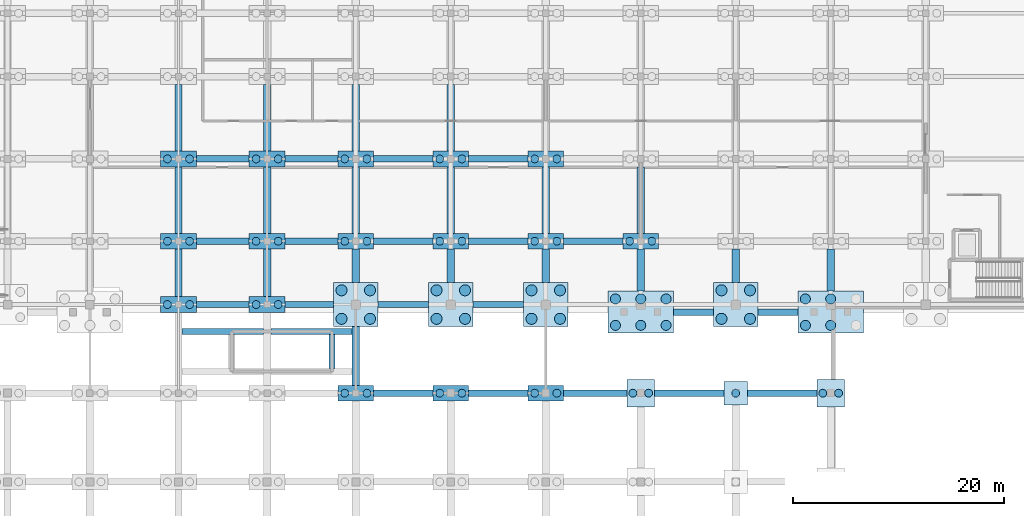
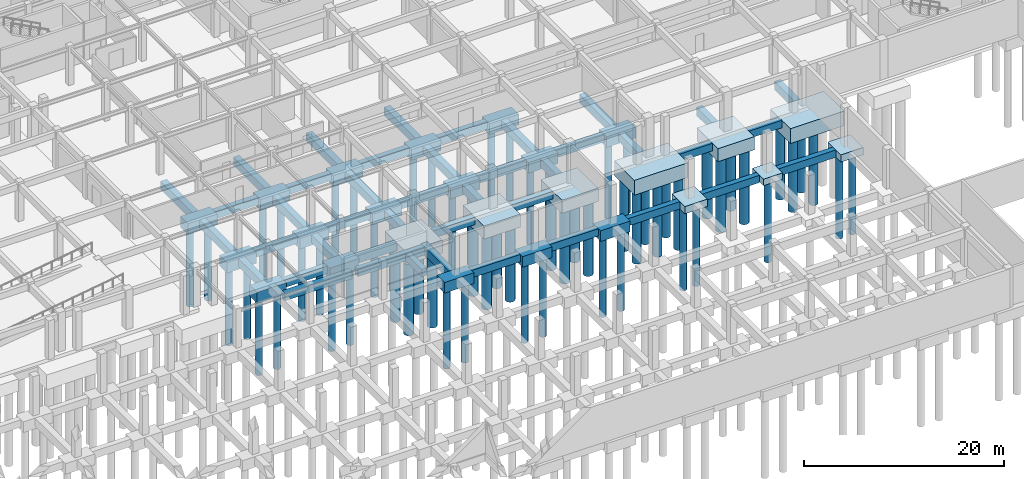
# One storey, part 4 of 26: 67 footings, 63 piles.
"""IFC4 building model written with IfcOpenShell, lengths in metres."""

from ifc_helpers import new_model, si_unit, direction, frame, origin, origin_2d, place, context, subcontext, project, spatial, rectangle, circle, extrude, material, material_profile, profile_set, type_object, element, save


model = new_model("IFC4")

# Units and contexts
model_context = context("Model", 3, precision=1e-05, world=origin(), true_north=direction((0.0, 1.0)))
body_context = subcontext(model_context, "Body", "Model", "MODEL_VIEW")
ifc_project = project(units=[si_unit("LENGTHUNIT", "METRE"), si_unit("AREAUNIT", "SQUARE_METRE"), si_unit("VOLUMEUNIT", "CUBIC_METRE"), si_unit("PLANEANGLEUNIT", "RADIAN"), si_unit("MASSUNIT", "GRAM", prefix="KILO")], contexts=[model_context])

# Site, building, storey
site_placement = place(None, origin())
site = spatial("IfcSite", under=ifc_project, at=site_placement, CompositionType="ELEMENT")
building_placement = place(site_placement, origin())
building = spatial("IfcBuilding", under=site, at=building_placement, Name="Tizgana Railside Sports Hall", CompositionType="ELEMENT")
storey_placement = place(building_placement, frame((0.0, 0.0, -4.800048828125)))
storey = spatial("IfcBuildingStorey", under=building, at=storey_placement, Name="B1", CompositionType="ELEMENT", Elevation=-4.800048828125)

# Footings
ifc_material = material(Name="Concrete C35/45", Category="concrete")
footing_type_1 = type_object("IfcFootingType", Name="Arcade Pad Footing 2600x2600x900", PredefinedType="PAD_FOOTING", material=ifc_material)
for number, where, z_axis, x_axis, name in (
    (1, (106.800048828125, 32.39990234375, -0.89990234375), (0.0, 0.0, 1.0), (1.0, 0.0, 0.0), "B1 FTG-0164"),
    (2, (124.800048828125, 32.39990234375, -0.89990234375), (0.0, 0.0, 1.0), (1.0, 0.0, 0.0), "B1 FTG-0188"),
):
    element("IfcFooting", number, at=place(storey_placement, frame(where, z_axis=z_axis, x_axis=x_axis)), inside=storey, type_object=footing_type_1, Name=name, PredefinedType="PAD_FOOTING", context=body_context, shape_type="SweptSolid", body=[
        extrude(rectangle(XDim=2.60009765625, YDim=2.60009765625, at=origin_2d()), origin(), (0.0, 0.0, 1.0), 0.89990234375),
    ])

# Piles
ifc_material_profile_1 = material_profile(ifc_material, circle(Radius=0.52490234375, at=origin_2d()), Name="PILE D1050")
ifc_profile_set_1 = profile_set([ifc_material_profile_1], Name="Concrete C35/45")
pile_type_1 = type_object("IfcPileType", Name="Bored Pile D1050", PredefinedType="BORED", material=ifc_profile_set_1)
for number, where, z_axis, x_axis, name in (
    (3, (78.449951171875, 39.449951171875, -1.919921875), (0.0, 0.0, -1.0), (1.0, 0.0, 0.0), "B1 PIL-0305"),
    (4, (81.14990234375, 39.449951171875, -1.919921875), (0.0, 0.0, -1.0), (1.0, 0.0, 0.0), "B1 PIL-0306"),
    (5, (78.449951171875, 42.14990234375, -1.919921875), (0.0, 0.0, -1.0), (1.0, 0.0, 0.0), "B1 PIL-0307"),
    (6, (81.14990234375, 42.14990234375, -1.919921875), (0.0, 0.0, -1.0), (1.0, 0.0, 0.0), "B1 PIL-0308"),
    (7, (87.449951171875, 39.449951171875, -1.919921875), (0.0, 0.0, -1.0), (1.0, 0.0, 0.0), "B1 PIL-0335"),
    (8, (90.14990234375, 39.449951171875, -1.919921875), (0.0, 0.0, -1.0), (1.0, 0.0, 0.0), "B1 PIL-0336"),
    (9, (87.449951171875, 42.14990234375, -1.919921875), (0.0, 0.0, -1.0), (1.0, 0.0, 0.0), "B1 PIL-0337"),
    (10, (90.14990234375, 42.14990234375, -1.919921875), (0.0, 0.0, -1.0), (1.0, 0.0, 0.0), "B1 PIL-0338"),
    (11, (96.449951171875, 39.449951171875, -1.919921875), (0.0, 0.0, -1.0), (1.0, 0.0, 0.0), "B1 PIL-0363"),
    (12, (99.14990234375, 39.449951171875, -1.919921875), (0.0, 0.0, -1.0), (1.0, 0.0, 0.0), "B1 PIL-0364"),
    (13, (96.449951171875, 42.14990234375, -1.919921875), (0.0, 0.0, -1.0), (1.0, 0.0, 0.0), "B1 PIL-0365"),
    (14, (99.14990234375, 42.14990234375, -1.919921875), (0.0, 0.0, -1.0), (1.0, 0.0, 0.0), "B1 PIL-0366"),
    (15, (114.449951171875, 39.449951171875, -1.919921875), (0.0, 0.0, -1.0), (1.0, 0.0, 0.0), "B1 PIL-0419"),
    (16, (117.14990234375, 39.449951171875, -1.919921875), (0.0, 0.0, -1.0), (1.0, 0.0, 0.0), "B1 PIL-0420"),
    (17, (114.449951171875, 42.14990234375, -1.919921875), (0.0, 0.0, -1.0), (1.0, 0.0, 0.0), "B1 PIL-0421"),
    (18, (117.14990234375, 42.14990234375, -1.919921875), (0.0, 0.0, -1.0), (1.0, 0.0, 0.0), "B1 PIL-0422"),
):
    element("IfcPile", number, at=place(storey_placement, frame(where, z_axis=z_axis, x_axis=x_axis)), inside=storey, type_object=pile_type_1, Name=name, PredefinedType="BORED", context=body_context, shape_type="SweptSolid", body=[
        extrude(circle(Radius=0.52490234375, at=origin_2d()), origin(), (0.0, 0.0, 1.0), 9.080078125),
    ])
ifc_material_profile_2 = material_profile(ifc_material, circle(Radius=0.375, at=origin_2d()), Name="PILE D750")
ifc_profile_set_2 = profile_set([ifc_material_profile_2], Name="Concrete C35/45")
pile_type_2 = type_object("IfcPileType", Name="Bored Pile D750", PredefinedType="BORED", material=ifc_profile_set_2)
for number, where, z_axis, x_axis, name in (
    (19, (61.949951171875, 40.800048828125, -1.619873046875), (0.0, 0.0, -1.0), (1.0, 0.0, 0.0), "B1 PIL-0253"),
    (20, (64.050048828125, 40.800048828125, -1.619873046875), (0.0, 0.0, -1.0), (1.0, 0.0, 0.0), "B1 PIL-0254"),
    (21, (61.949951171875, 46.800048828125, -1.619873046875), (0.0, 0.0, -1.0), (1.0, 0.0, 0.0), "B1 PIL-0255"),
    (22, (64.050048828125, 46.800048828125, -1.619873046875), (0.0, 0.0, -1.0), (1.0, 0.0, 0.0), "B1 PIL-0256"),
    (23, (61.949951171875, 54.60009765625, -1.619873046875), (0.0, 0.0, -1.0), (1.0, 0.0, 0.0), "B1 PIL-0257"),
    (24, (64.050048828125, 54.60009765625, -1.619873046875), (0.0, 0.0, -1.0), (1.0, 0.0, 0.0), "B1 PIL-0258"),
    (25, (70.35009765625, 40.800048828125, -1.619873046875), (0.0, 0.0, -1.0), (1.0, 0.0, 0.0), "B1 PIL-0279"),
    (26, (72.449951171875, 40.800048828125, -1.619873046875), (0.0, 0.0, -1.0), (1.0, 0.0, 0.0), "B1 PIL-0280"),
    (27, (70.35009765625, 46.800048828125, -1.619873046875), (0.0, 0.0, -1.0), (1.0, 0.0, 0.0), "B1 PIL-0281"),
    (28, (72.449951171875, 46.800048828125, -1.619873046875), (0.0, 0.0, -1.0), (1.0, 0.0, 0.0), "B1 PIL-0282"),
    (29, (70.35009765625, 54.60009765625, -1.619873046875), (0.0, 0.0, -1.0), (1.0, 0.0, 0.0), "B1 PIL-0283"),
    (30, (72.449951171875, 54.60009765625, -1.619873046875), (0.0, 0.0, -1.0), (1.0, 0.0, 0.0), "B1 PIL-0284"),
):
    element("IfcPile", number, at=place(storey_placement, frame(where, z_axis=z_axis, x_axis=x_axis)), inside=storey, type_object=pile_type_2, Name=name, PredefinedType="BORED", context=body_context, shape_type="SweptSolid", body=[
        extrude(circle(Radius=0.375, at=origin_2d()), origin(), (0.0, 0.0, 1.0), 9.3798828125),
    ])
for number, where, z_axis, x_axis, name in (
    (31, (78.75, 32.39990234375, -1.199951171875), (0.0, 0.0, -1.0), (1.0, 0.0, 0.0), "B1 PIL-0303"),
    (32, (80.85009765625, 32.39990234375, -1.199951171875), (0.0, 0.0, -1.0), (1.0, 0.0, 0.0), "B1 PIL-0304"),
):
    element("IfcPile", number, at=place(storey_placement, frame(where, z_axis=z_axis, x_axis=x_axis)), inside=storey, type_object=pile_type_2, Name=name, PredefinedType="BORED", context=body_context, shape_type="SweptSolid", body=[
        extrude(circle(Radius=0.375, at=origin_2d()), origin(), (0.0, 0.0, 1.0), 9.800048828125),
    ])
for number, where, z_axis, x_axis, name in (
    (33, (78.75, 46.800048828125, -1.619873046875), (0.0, 0.0, -1.0), (1.0, 0.0, 0.0), "B1 PIL-0309"),
    (34, (80.85009765625, 46.800048828125, -1.619873046875), (0.0, 0.0, -1.0), (1.0, 0.0, 0.0), "B1 PIL-0310"),
    (35, (78.75, 54.60009765625, -1.619873046875), (0.0, 0.0, -1.0), (1.0, 0.0, 0.0), "B1 PIL-0311"),
    (36, (80.85009765625, 54.60009765625, -1.619873046875), (0.0, 0.0, -1.0), (1.0, 0.0, 0.0), "B1 PIL-0312"),
):
    element("IfcPile", number, at=place(storey_placement, frame(where, z_axis=z_axis, x_axis=x_axis)), inside=storey, type_object=pile_type_2, Name=name, PredefinedType="BORED", context=body_context, shape_type="SweptSolid", body=[
        extrude(circle(Radius=0.375, at=origin_2d()), origin(), (0.0, 0.0, 1.0), 9.3798828125),
    ])
for number, where, z_axis, x_axis, name in (
    (37, (87.75, 32.39990234375, -1.199951171875), (0.0, 0.0, -1.0), (1.0, 0.0, 0.0), "B1 PIL-0333"),
    (38, (89.85009765625, 32.39990234375, -1.199951171875), (0.0, 0.0, -1.0), (1.0, 0.0, 0.0), "B1 PIL-0334"),
):
    element("IfcPile", number, at=place(storey_placement, frame(where, z_axis=z_axis, x_axis=x_axis)), inside=storey, type_object=pile_type_2, Name=name, PredefinedType="BORED", context=body_context, shape_type="SweptSolid", body=[
        extrude(circle(Radius=0.375, at=origin_2d()), origin(), (0.0, 0.0, 1.0), 9.800048828125),
    ])
for number, where, z_axis, x_axis, name in (
    (39, (87.75, 46.800048828125, -1.619873046875), (0.0, 0.0, -1.0), (1.0, 0.0, 0.0), "B1 PIL-0339"),
    (40, (89.85009765625, 46.800048828125, -1.619873046875), (0.0, 0.0, -1.0), (1.0, 0.0, 0.0), "B1 PIL-0340"),
    (41, (87.75, 54.60009765625, -1.619873046875), (0.0, 0.0, -1.0), (1.0, 0.0, 0.0), "B1 PIL-0341"),
    (42, (89.85009765625, 54.60009765625, -1.619873046875), (0.0, 0.0, -1.0), (1.0, 0.0, 0.0), "B1 PIL-0342"),
):
    element("IfcPile", number, at=place(storey_placement, frame(where, z_axis=z_axis, x_axis=x_axis)), inside=storey, type_object=pile_type_2, Name=name, PredefinedType="BORED", context=body_context, shape_type="SweptSolid", body=[
        extrude(circle(Radius=0.375, at=origin_2d()), origin(), (0.0, 0.0, 1.0), 9.3798828125),
    ])
for number, where, z_axis, x_axis, name in (
    (43, (96.75, 32.39990234375, -1.199951171875), (0.0, 0.0, -1.0), (1.0, 0.0, 0.0), "B1 PIL-0361"),
    (44, (98.85009765625, 32.39990234375, -1.199951171875), (0.0, 0.0, -1.0), (1.0, 0.0, 0.0), "B1 PIL-0362"),
):
    element("IfcPile", number, at=place(storey_placement, frame(where, z_axis=z_axis, x_axis=x_axis)), inside=storey, type_object=pile_type_2, Name=name, PredefinedType="BORED", context=body_context, shape_type="SweptSolid", body=[
        extrude(circle(Radius=0.375, at=origin_2d()), origin(), (0.0, 0.0, 1.0), 9.800048828125),
    ])
for number, where, z_axis, x_axis, name in (
    (45, (96.75, 46.800048828125, -1.619873046875), (0.0, 0.0, -1.0), (1.0, 0.0, 0.0), "B1 PIL-0367"),
    (46, (98.85009765625, 46.800048828125, -1.619873046875), (0.0, 0.0, -1.0), (1.0, 0.0, 0.0), "B1 PIL-0368"),
    (47, (96.75, 54.60009765625, -1.619873046875), (0.0, 0.0, -1.0), (1.0, 0.0, 0.0), "B1 PIL-0369"),
    (48, (98.85009765625, 54.60009765625, -1.619873046875), (0.0, 0.0, -1.0), (1.0, 0.0, 0.0), "B1 PIL-0370"),
):
    element("IfcPile", number, at=place(storey_placement, frame(where, z_axis=z_axis, x_axis=x_axis)), inside=storey, type_object=pile_type_2, Name=name, PredefinedType="BORED", context=body_context, shape_type="SweptSolid", body=[
        extrude(circle(Radius=0.375, at=origin_2d()), origin(), (0.0, 0.0, 1.0), 9.3798828125),
    ])
for number, where, z_axis, x_axis, name in (
    (49, (106.050048828125, 32.39990234375, -0.800048828125), (0.0, 0.0, -1.0), (1.0, 0.0, 0.0), "B1 PIL-0395"),
    (50, (107.550048828125, 32.39990234375, -0.800048828125), (0.0, 0.0, -1.0), (1.0, 0.0, 0.0), "B1 PIL-0396"),
):
    element("IfcPile", number, at=place(storey_placement, frame(where, z_axis=z_axis, x_axis=x_axis)), inside=storey, type_object=pile_type_2, Name=name, PredefinedType="BORED", context=body_context, shape_type="SweptSolid", body=[
        extrude(circle(Radius=0.375, at=origin_2d()), origin(), (0.0, 0.0, 1.0), 10.199951171875),
    ])
for number, where, z_axis, x_axis, name in (
    (51, (105.75, 46.800048828125, -1.619873046875), (0.0, 0.0, -1.0), (1.0, 0.0, 0.0), "B1 PIL-0397"),
    (52, (107.85009765625, 46.800048828125, -1.619873046875), (0.0, 0.0, -1.0), (1.0, 0.0, 0.0), "B1 PIL-0398"),
):
    element("IfcPile", number, at=place(storey_placement, frame(where, z_axis=z_axis, x_axis=x_axis)), inside=storey, type_object=pile_type_2, Name=name, PredefinedType="BORED", context=body_context, shape_type="SweptSolid", body=[
        extrude(circle(Radius=0.375, at=origin_2d()), origin(), (0.0, 0.0, 1.0), 9.3798828125),
    ])
pile_placement = place(storey_placement, frame((115.800048828125, 32.39990234375, -0.699951171875), z_axis=(0.0, 0.0, -1.0), x_axis=(1.0, 0.0, 0.0)))
element("IfcPile", 53, at=pile_placement, inside=storey, type_object=pile_type_2, Name="B1 PIL-0418", PredefinedType="BORED", context=body_context, shape_type="SweptSolid", body=[
    extrude(circle(Radius=0.375, at=origin_2d()), origin(), (0.0, 0.0, 1.0), 10.300048828125),
])
for number, where, z_axis, x_axis, name in (
    (54, (124.050048828125, 32.39990234375, -0.800048828125), (0.0, 0.0, -1.0), (1.0, 0.0, 0.0), "B1 PIL-0451"),
    (55, (125.550048828125, 32.39990234375, -0.800048828125), (0.0, 0.0, -1.0), (1.0, 0.0, 0.0), "B1 PIL-0452"),
):
    element("IfcPile", number, at=place(storey_placement, frame(where, z_axis=z_axis, x_axis=x_axis)), inside=storey, type_object=pile_type_2, Name=name, PredefinedType="BORED", context=body_context, shape_type="SweptSolid", body=[
        extrude(circle(Radius=0.375, at=origin_2d()), origin(), (0.0, 0.0, 1.0), 10.199951171875),
    ])
ifc_material_profile_3 = material_profile(ifc_material, circle(Radius=0.47509765625, at=origin_2d()), Name="PILE D950")
ifc_profile_set_3 = profile_set([ifc_material_profile_3], Name="Concrete C35/45")
pile_type_3 = type_object("IfcPileType", Name="Bored Pile D950", PredefinedType="BORED", material=ifc_profile_set_3)
for number, where, z_axis, x_axis, name in (
    (56, (104.39990234375, 38.830078125, -2.119873046875), (0.0, 0.0, -1.0), (1.0, 0.0, 0.0), "B1 PIL-0381"),
    (57, (104.39990234375, 41.330078125, -2.119873046875), (0.0, 0.0, -1.0), (1.0, 0.0, 0.0), "B1 PIL-0382"),
    (58, (106.800048828125, 38.830078125, -2.119873046875), (0.0, 0.0, -1.0), (1.0, 0.0, 0.0), "B1 PIL-0383"),
    (59, (106.800048828125, 41.330078125, -2.119873046875), (0.0, 0.0, -1.0), (1.0, 0.0, 0.0), "B1 PIL-0384"),
    (60, (109.199951171875, 38.830078125, -2.119873046875), (0.0, 0.0, -1.0), (1.0, 0.0, 0.0), "B1 PIL-0385"),
    (61, (109.199951171875, 41.330078125, -2.119873046875), (0.0, 0.0, -1.0), (1.0, 0.0, 0.0), "B1 PIL-0386"),
    (62, (122.39990234375, 38.830078125, -2.119873046875), (0.0, 0.0, -1.0), (1.0, 0.0, 0.0), "B1 PIL-0437"),
    (63, (122.39990234375, 41.330078125, -2.119873046875), (0.0, 0.0, -1.0), (1.0, 0.0, 0.0), "B1 PIL-0438"),
    (64, (124.800048828125, 38.830078125, -2.119873046875), (0.0, 0.0, -1.0), (1.0, 0.0, 0.0), "B1 PIL-0439"),
    (65, (124.800048828125, 41.330078125, -2.119873046875), (0.0, 0.0, -1.0), (1.0, 0.0, 0.0), "B1 PIL-0440"),
):
    element("IfcPile", number, at=place(storey_placement, frame(where, z_axis=z_axis, x_axis=x_axis)), inside=storey, type_object=pile_type_3, Name=name, PredefinedType="BORED", context=body_context, shape_type="SweptSolid", body=[
        extrude(circle(Radius=0.47509765625, at=origin_2d()), origin(), (0.0, 0.0, 1.0), 8.8798828125),
    ])

# Footings
footing_type_2 = type_object("IfcFootingType", Name="Canopy Pad Footing 2200x2200x800", PredefinedType="PAD_FOOTING", material=ifc_material)
footing_1_placement = place(storey_placement, frame((115.800048828125, 32.39990234375, -0.7998046875), z_axis=(0.0, 0.0, 1.0), x_axis=(1.0, 0.0, 0.0)))
element("IfcFooting", 66, at=footing_1_placement, inside=storey, type_object=footing_type_2, Name="B1 FTG-0175", PredefinedType="PAD_FOOTING", context=body_context, shape_type="SweptSolid", body=[
    extrude(rectangle(XDim=2.199951171875, YDim=2.199951171875, at=origin_2d()), origin(), (0.0, 0.0, 1.0), 0.800048828125),
])
footing_type_3 = type_object("IfcFootingType", Name="Ground Tie Beam 600x900", PredefinedType="FOOTING_BEAM", material=ifc_material)
for number, where, z_axis, x_axis, name in (
    (67, (84.300048828125, 32.39990234375, -0.89990234375), (0.0, 0.0, 1.0), (1.0, 0.0, 0.0), "B1 FTG-0300"),
    (68, (93.300048828125, 32.39990234375, -0.89990234375), (0.0, 0.0, 1.0), (1.0, 0.0, 0.0), "B1 FTG-0301"),
):
    element("IfcFooting", number, at=place(storey_placement, frame(where, z_axis=z_axis, x_axis=x_axis)), inside=storey, type_object=footing_type_3, Name=name, PredefinedType="FOOTING_BEAM", context=body_context, shape_type="SweptSolid", body=[
        extrude(rectangle(XDim=5.60400390625, YDim=0.60009765625, at=origin_2d()), origin(), (0.0, 0.0, 1.0), 0.89990234375),
    ])
footing_2_placement = place(storey_placement, frame((102.5, 32.39990234375, -0.89990234375), z_axis=(0.0, 0.0, 1.0), x_axis=(1.0, 0.0, 0.0)))
element("IfcFooting", 69, at=footing_2_placement, inside=storey, type_object=footing_type_3, Name="B1 FTG-0302", PredefinedType="FOOTING_BEAM", context=body_context, shape_type="SweptSolid", body=[
    extrude(rectangle(XDim=6.00390625, YDim=0.60009765625, at=origin_2d()), origin(), (0.0, 0.0, 1.0), 0.89990234375),
])
for number, where, z_axis, x_axis, name in (
    (70, (111.39990234375, 32.39990234375, -0.89990234375), (0.0, 0.0, 1.0), (1.0, 0.0, 0.0), "B1 FTG-0303"),
    (71, (120.199951171875, 32.39990234375, -0.89990234375), (0.0, 0.0, 1.0), (1.0, 0.0, 0.0), "B1 FTG-0304"),
):
    element("IfcFooting", number, at=place(storey_placement, frame(where, z_axis=z_axis, x_axis=x_axis)), inside=storey, type_object=footing_type_3, Name=name, PredefinedType="FOOTING_BEAM", context=body_context, shape_type="SweptSolid", body=[
        extrude(rectangle(XDim=6.60400390625, YDim=0.60009765625, at=origin_2d()), origin(), (0.0, 0.0, 1.0), 0.89990234375),
    ])
for number, where, z_axis, x_axis, name in (
    (72, (111.800048828125, 40.080078125, -1.31982421875), (0.0, 0.0, 1.0), (1.0, 0.0, 0.0), "B1 FTG-0311"),
    (73, (119.800048828125, 40.080078125, -1.31982421875), (0.0, 0.0, 1.0), (1.0, 0.0, 0.0), "B1 FTG-0312"),
):
    element("IfcFooting", number, at=place(storey_placement, frame(where, z_axis=z_axis, x_axis=x_axis)), inside=storey, type_object=footing_type_3, Name=name, PredefinedType="FOOTING_BEAM", context=body_context, shape_type="SweptSolid", body=[
        extrude(rectangle(XDim=3.803955078125, YDim=0.60009765625, at=origin_2d()), origin(), (0.0, 0.0, 1.0), 0.89990234375),
    ])
footing_3_placement = place(storey_placement, frame((67.199951171875, 40.800048828125, -1.31982421875), z_axis=(0.0, 0.0, 1.0), x_axis=(1.0, 0.0, 0.0)))
element("IfcFooting", 74, at=footing_3_placement, inside=storey, type_object=footing_type_3, Name="B1 FTG-0317", PredefinedType="FOOTING_BEAM", context=body_context, shape_type="SweptSolid", body=[
    extrude(rectangle(XDim=5.00390625, YDim=0.60009765625, at=origin_2d()), origin(), (0.0, 0.0, 1.0), 0.89990234375),
])
footing_4_placement = place(storey_placement, frame((75.39990234375, 40.800048828125, -1.31982421875), z_axis=(0.0, 0.0, 1.0), x_axis=(1.0, 0.0, 0.0)))
element("IfcFooting", 75, at=footing_4_placement, inside=storey, type_object=footing_type_3, Name="B1 FTG-0318", PredefinedType="FOOTING_BEAM", context=body_context, shape_type="SweptSolid", body=[
    extrude(rectangle(XDim=4.60400390625, YDim=0.60009765625, at=origin_2d()), origin(), (0.0, 0.0, 1.0), 0.89990234375),
])
for number, where, z_axis, x_axis, name in (
    (76, (84.300048828125, 40.800048828125, -1.31982421875), (0.0, 0.0, 1.0), (1.0, 0.0, 0.0), "B1 FTG-0319"),
    (77, (93.300048828125, 40.800048828125, -1.31982421875), (0.0, 0.0, 1.0), (1.0, 0.0, 0.0), "B1 FTG-0320"),
):
    element("IfcFooting", number, at=place(storey_placement, frame(where, z_axis=z_axis, x_axis=x_axis)), inside=storey, type_object=footing_type_3, Name=name, PredefinedType="FOOTING_BEAM", context=body_context, shape_type="SweptSolid", body=[
        extrude(rectangle(XDim=4.803955078125, YDim=0.60009765625, at=origin_2d()), origin(), (0.0, 0.0, 1.0), 0.89990234375),
    ])
for number, where, z_axis, x_axis, name in (
    (78, (67.199951171875, 46.800048828125, -1.31982421875), (0.0, 0.0, 1.0), (1.0, 0.0, 0.0), "B1 FTG-0328"),
    (79, (75.60009765625, 46.800048828125, -1.31982421875), (0.0, 0.0, 1.0), (1.0, 0.0, 0.0), "B1 FTG-0329"),
):
    element("IfcFooting", number, at=place(storey_placement, frame(where, z_axis=z_axis, x_axis=x_axis)), inside=storey, type_object=footing_type_3, Name=name, PredefinedType="FOOTING_BEAM", context=body_context, shape_type="SweptSolid", body=[
        extrude(rectangle(XDim=5.00390625, YDim=0.60009765625, at=origin_2d()), origin(), (0.0, 0.0, 1.0), 0.89990234375),
    ])
for number, where, z_axis, x_axis, name in (
    (80, (84.300048828125, 46.800048828125, -1.31982421875), (0.0, 0.0, 1.0), (1.0, 0.0, 0.0), "B1 FTG-0330"),
    (81, (93.300048828125, 46.800048828125, -1.31982421875), (0.0, 0.0, 1.0), (1.0, 0.0, 0.0), "B1 FTG-0331"),
    (82, (102.300048828125, 46.800048828125, -1.31982421875), (0.0, 0.0, 1.0), (1.0, 0.0, 0.0), "B1 FTG-0332"),
):
    element("IfcFooting", number, at=place(storey_placement, frame(where, z_axis=z_axis, x_axis=x_axis)), inside=storey, type_object=footing_type_3, Name=name, PredefinedType="FOOTING_BEAM", context=body_context, shape_type="SweptSolid", body=[
        extrude(rectangle(XDim=5.60400390625, YDim=0.60009765625, at=origin_2d()), origin(), (0.0, 0.0, 1.0), 0.89990234375),
    ])
for number, where, z_axis, x_axis, name in (
    (83, (67.199951171875, 54.60009765625, -1.31982421875), (0.0, 0.0, 1.0), (1.0, 0.0, 0.0), "B1 FTG-0343"),
    (84, (75.60009765625, 54.60009765625, -1.31982421875), (0.0, 0.0, 1.0), (1.0, 0.0, 0.0), "B1 FTG-0344"),
):
    element("IfcFooting", number, at=place(storey_placement, frame(where, z_axis=z_axis, x_axis=x_axis)), inside=storey, type_object=footing_type_3, Name=name, PredefinedType="FOOTING_BEAM", context=body_context, shape_type="SweptSolid", body=[
        extrude(rectangle(XDim=5.00390625, YDim=0.60009765625, at=origin_2d()), origin(), (0.0, 0.0, 1.0), 0.89990234375),
    ])
for number, where, z_axis, x_axis, name in (
    (85, (84.300048828125, 54.60009765625, -1.31982421875), (0.0, 0.0, 1.0), (1.0, 0.0, 0.0), "B1 FTG-0345"),
    (86, (93.300048828125, 54.60009765625, -1.31982421875), (0.0, 0.0, 1.0), (1.0, 0.0, 0.0), "B1 FTG-0346"),
):
    element("IfcFooting", number, at=place(storey_placement, frame(where, z_axis=z_axis, x_axis=x_axis)), inside=storey, type_object=footing_type_3, Name=name, PredefinedType="FOOTING_BEAM", context=body_context, shape_type="SweptSolid", body=[
        extrude(rectangle(XDim=5.60400390625, YDim=0.60009765625, at=origin_2d()), origin(), (0.0, 0.0, 1.0), 0.89990234375),
    ])
for number, where, z_axis, x_axis, name in (
    (87, (67.199951171875, 38.25, -0.89990234375), (0.0, 0.0, 1.0), (1.0, 0.0, 0.0), "B1 FTG-0639"),
    (88, (75.60009765625, 38.25, -0.89990234375), (0.0, 0.0, 1.0), (1.0, 0.0, 0.0), "B1 FTG-0640"),
):
    element("IfcFooting", number, at=place(storey_placement, frame(where, z_axis=z_axis, x_axis=x_axis)), inside=storey, type_object=footing_type_3, Name=name, PredefinedType="FOOTING_BEAM", context=body_context, shape_type="SweptSolid", body=[
        extrude(rectangle(XDim=7.7041015625, YDim=0.60009765625, at=origin_2d()), origin(), (0.0, 0.0, 1.0), 0.89990234375),
    ])
footing_5_placement = place(storey_placement, frame((77.550048828125, 36.35009765625, -0.89990234375), z_axis=(0.0, 0.0, 1.0), x_axis=(0.0, 1.0, 0.0)))
element("IfcFooting", 89, at=footing_5_placement, inside=storey, type_object=footing_type_3, Name="B1 FTG-0652", PredefinedType="FOOTING_BEAM", context=body_context, shape_type="SweptSolid", body=[
    extrude(rectangle(XDim=3.2041015625, YDim=0.60009765625, at=origin_2d()), origin(), (0.0, 0.0, 1.0), 0.89990234375),
])
footing_type_4 = type_object("IfcFootingType", Name="Heavy Four-Pile Cap 4200x4200x1600", PredefinedType="PILE_CAP", material=ifc_material)
for number, where, z_axis, x_axis, name in (
    (90, (79.800048828125, 40.800048828125, -2.02001953125), (0.0, 0.0, 1.0), (1.0, 0.0, 0.0), "B1 FTG-0127"),
    (91, (88.800048828125, 40.800048828125, -2.02001953125), (0.0, 0.0, 1.0), (1.0, 0.0, 0.0), "B1 FTG-0140"),
    (92, (97.800048828125, 40.800048828125, -2.02001953125), (0.0, 0.0, 1.0), (1.0, 0.0, 0.0), "B1 FTG-0152"),
    (93, (115.800048828125, 40.800048828125, -2.02001953125), (0.0, 0.0, 1.0), (1.0, 0.0, 0.0), "B1 FTG-0176"),
):
    element("IfcFooting", number, at=place(storey_placement, frame(where, z_axis=z_axis, x_axis=x_axis)), inside=storey, type_object=footing_type_4, Name=name, PredefinedType="PILE_CAP", context=body_context, shape_type="SweptSolid", body=[
        extrude(rectangle(XDim=4.199951171875, YDim=4.199951171875, at=origin_2d()), origin(), (0.0, 0.0, 1.0), 1.60009765625),
    ])
footing_type_5 = type_object("IfcFootingType", Name="Perimeter Ground Beam 700x1000", PredefinedType="FOOTING_BEAM", material=ifc_material)
footing_6_placement = place(storey_placement, frame((63.0, 43.800048828125, -1.419921875), z_axis=(0.0, 0.0, 1.0), x_axis=(0.0, 1.0, 0.0)))
element("IfcFooting", 94, at=footing_6_placement, inside=storey, type_object=footing_type_5, Name="B1 FTG-0523", PredefinedType="FOOTING_BEAM", context=body_context, shape_type="SweptSolid", body=[
    extrude(rectangle(XDim=4.50390625, YDim=0.699951171875, at=origin_2d()), origin(), (0.0, 0.0, 1.0), 1.0),
])
for number, where, z_axis, x_axis, name in (
    (95, (63.0, 50.699951171875, -1.419921875), (0.0, 0.0, 1.0), (0.0, 1.0, 0.0), "B1 FTG-0524"),
    (96, (63.0, 58.5, -1.419921875), (0.0, 0.0, 1.0), (0.0, 1.0, 0.0), "B1 FTG-0525"),
):
    element("IfcFooting", number, at=place(storey_placement, frame(where, z_axis=z_axis, x_axis=x_axis)), inside=storey, type_object=footing_type_5, Name=name, PredefinedType="FOOTING_BEAM", context=body_context, shape_type="SweptSolid", body=[
        extrude(rectangle(XDim=6.303955078125, YDim=0.699951171875, at=origin_2d()), origin(), (0.0, 0.0, 1.0), 1.0),
    ])
footing_7_placement = place(storey_placement, frame((71.39990234375, 43.800048828125, -1.419921875), z_axis=(0.0, 0.0, 1.0), x_axis=(0.0, 1.0, 0.0)))
element("IfcFooting", 97, at=footing_7_placement, inside=storey, type_object=footing_type_5, Name="B1 FTG-0534", PredefinedType="FOOTING_BEAM", context=body_context, shape_type="SweptSolid", body=[
    extrude(rectangle(XDim=4.50390625, YDim=0.699951171875, at=origin_2d()), origin(), (0.0, 0.0, 1.0), 1.0),
])
for number, where, z_axis, x_axis, name in (
    (98, (71.39990234375, 50.699951171875, -1.419921875), (0.0, 0.0, 1.0), (0.0, 1.0, 0.0), "B1 FTG-0535"),
    (99, (71.39990234375, 58.5, -1.419921875), (0.0, 0.0, 1.0), (0.0, 1.0, 0.0), "B1 FTG-0536"),
):
    element("IfcFooting", number, at=place(storey_placement, frame(where, z_axis=z_axis, x_axis=x_axis)), inside=storey, type_object=footing_type_5, Name=name, PredefinedType="FOOTING_BEAM", context=body_context, shape_type="SweptSolid", body=[
        extrude(rectangle(XDim=6.303955078125, YDim=0.699951171875, at=origin_2d()), origin(), (0.0, 0.0, 1.0), 1.0),
    ])
footing_8_placement = place(storey_placement, frame((79.800048828125, 35.925048828125, -1.0), z_axis=(0.0, 0.0, 1.0), x_axis=(0.0, 1.0, 0.0)))
element("IfcFooting", 100, at=footing_8_placement, inside=storey, type_object=footing_type_5, Name="B1 FTG-0544", PredefinedType="FOOTING_BEAM", context=body_context, shape_type="SweptSolid", body=[
    extrude(rectangle(XDim=5.553955078125, YDim=0.699951171875, at=origin_2d()), origin(), (0.0, 0.0, 1.0), 1.0),
])
footing_9_placement = place(storey_placement, frame((79.800048828125, 44.47509765625, -1.419921875), z_axis=(0.0, 0.0, 1.0), x_axis=(0.0, 1.0, 0.0)))
element("IfcFooting", 101, at=footing_9_placement, inside=storey, type_object=footing_type_5, Name="B1 FTG-0545", PredefinedType="FOOTING_BEAM", context=body_context, shape_type="SweptSolid", body=[
    extrude(rectangle(XDim=3.154052734375, YDim=0.699951171875, at=origin_2d()), origin(), (0.0, 0.0, 1.0), 1.0),
])
for number, where, z_axis, x_axis, name in (
    (102, (79.800048828125, 50.699951171875, -1.419921875), (0.0, 0.0, 1.0), (0.0, 1.0, 0.0), "B1 FTG-0546"),
    (103, (79.800048828125, 58.5, -1.419921875), (0.0, 0.0, 1.0), (0.0, 1.0, 0.0), "B1 FTG-0547"),
):
    element("IfcFooting", number, at=place(storey_placement, frame(where, z_axis=z_axis, x_axis=x_axis)), inside=storey, type_object=footing_type_5, Name=name, PredefinedType="FOOTING_BEAM", context=body_context, shape_type="SweptSolid", body=[
        extrude(rectangle(XDim=6.303955078125, YDim=0.699951171875, at=origin_2d()), origin(), (0.0, 0.0, 1.0), 1.0),
    ])
footing_10_placement = place(storey_placement, frame((88.800048828125, 44.47509765625, -1.419921875), z_axis=(0.0, 0.0, 1.0), x_axis=(0.0, 1.0, 0.0)))
element("IfcFooting", 104, at=footing_10_placement, inside=storey, type_object=footing_type_5, Name="B1 FTG-0556", PredefinedType="FOOTING_BEAM", context=body_context, shape_type="SweptSolid", body=[
    extrude(rectangle(XDim=3.154052734375, YDim=0.699951171875, at=origin_2d()), origin(), (0.0, 0.0, 1.0), 1.0),
])
for number, where, z_axis, x_axis, name in (
    (105, (88.800048828125, 50.699951171875, -1.419921875), (0.0, 0.0, 1.0), (0.0, 1.0, 0.0), "B1 FTG-0557"),
    (106, (88.800048828125, 58.5, -1.419921875), (0.0, 0.0, 1.0), (0.0, 1.0, 0.0), "B1 FTG-0558"),
):
    element("IfcFooting", number, at=place(storey_placement, frame(where, z_axis=z_axis, x_axis=x_axis)), inside=storey, type_object=footing_type_5, Name=name, PredefinedType="FOOTING_BEAM", context=body_context, shape_type="SweptSolid", body=[
        extrude(rectangle(XDim=6.303955078125, YDim=0.699951171875, at=origin_2d()), origin(), (0.0, 0.0, 1.0), 1.0),
    ])
footing_11_placement = place(storey_placement, frame((97.800048828125, 44.47509765625, -1.419921875), z_axis=(0.0, 0.0, 1.0), x_axis=(0.0, 1.0, 0.0)))
element("IfcFooting", 107, at=footing_11_placement, inside=storey, type_object=footing_type_5, Name="B1 FTG-0566", PredefinedType="FOOTING_BEAM", context=body_context, shape_type="SweptSolid", body=[
    extrude(rectangle(XDim=3.154052734375, YDim=0.699951171875, at=origin_2d()), origin(), (0.0, 0.0, 1.0), 1.0),
])
footing_12_placement = place(storey_placement, frame((97.800048828125, 50.699951171875, -1.419921875), z_axis=(0.0, 0.0, 1.0), x_axis=(0.0, 1.0, 0.0)))
element("IfcFooting", 108, at=footing_12_placement, inside=storey, type_object=footing_type_5, Name="B1 FTG-0567", PredefinedType="FOOTING_BEAM", context=body_context, shape_type="SweptSolid", body=[
    extrude(rectangle(XDim=6.303955078125, YDim=0.699951171875, at=origin_2d()), origin(), (0.0, 0.0, 1.0), 1.0),
])
footing_13_placement = place(storey_placement, frame((106.800048828125, 44.06494140625, -1.419921875), z_axis=(0.0, 0.0, 1.0), x_axis=(0.0, 1.0, 0.0)))
element("IfcFooting", 109, at=footing_13_placement, inside=storey, type_object=footing_type_5, Name="B1 FTG-0576", PredefinedType="FOOTING_BEAM", context=body_context, shape_type="SweptSolid", body=[
    extrude(rectangle(XDim=3.97412109375, YDim=0.699951171875, at=origin_2d()), origin(), (0.0, 0.0, 1.0), 1.0),
])
footing_14_placement = place(storey_placement, frame((106.800048828125, 50.699951171875, -1.419921875), z_axis=(0.0, 0.0, 1.0), x_axis=(0.0, 1.0, 0.0)))
element("IfcFooting", 110, at=footing_14_placement, inside=storey, type_object=footing_type_5, Name="B1 FTG-0577", PredefinedType="FOOTING_BEAM", context=body_context, shape_type="SweptSolid", body=[
    extrude(rectangle(XDim=6.303955078125, YDim=0.699951171875, at=origin_2d()), origin(), (0.0, 0.0, 1.0), 1.0),
])
footing_15_placement = place(storey_placement, frame((115.800048828125, 44.47509765625, -1.419921875), z_axis=(0.0, 0.0, 1.0), x_axis=(0.0, 1.0, 0.0)))
element("IfcFooting", 111, at=footing_15_placement, inside=storey, type_object=footing_type_5, Name="B1 FTG-0586", PredefinedType="FOOTING_BEAM", context=body_context, shape_type="SweptSolid", body=[
    extrude(rectangle(XDim=3.154052734375, YDim=0.699951171875, at=origin_2d()), origin(), (0.0, 0.0, 1.0), 1.0),
])
footing_16_placement = place(storey_placement, frame((124.800048828125, 44.06494140625, -1.419921875), z_axis=(0.0, 0.0, 1.0), x_axis=(0.0, 1.0, 0.0)))
element("IfcFooting", 112, at=footing_16_placement, inside=storey, type_object=footing_type_5, Name="B1 FTG-0596", PredefinedType="FOOTING_BEAM", context=body_context, shape_type="SweptSolid", body=[
    extrude(rectangle(XDim=3.97412109375, YDim=0.699951171875, at=origin_2d()), origin(), (0.0, 0.0, 1.0), 1.0),
])
footing_type_6 = type_object("IfcFootingType", Name="Six-Pile Transfer Cap 6200x4000x1800", PredefinedType="PILE_CAP", material=ifc_material)
for number, where, z_axis, x_axis, name in (
    (113, (106.800048828125, 40.080078125, -2.22021484375), (0.0, 0.0, 1.0), (1.0, 0.0, 0.0), "B1 FTG-0159"),
    (114, (124.800048828125, 40.080078125, -2.22021484375), (0.0, 0.0, 1.0), (1.0, 0.0, 0.0), "B1 FTG-0183"),
):
    element("IfcFooting", number, at=place(storey_placement, frame(where, z_axis=z_axis, x_axis=x_axis)), inside=storey, type_object=footing_type_6, Name=name, PredefinedType="PILE_CAP", context=body_context, shape_type="SweptSolid", body=[
        extrude(rectangle(XDim=6.199951171875, YDim=4.0, at=origin_2d()), origin(), (0.0, 0.0, 1.0), 1.800048828125),
    ])
footing_type_7 = type_object("IfcFootingType", Name="Two-Pile Cap 3400x1500x1300", PredefinedType="PILE_CAP", material=ifc_material)
for number, where, z_axis, x_axis, name in (
    (115, (63.0, 40.800048828125, -1.72021484375), (0.0, 0.0, 1.0), (1.0, 0.0, 0.0), "B1 FTG-0101"),
    (116, (63.0, 46.800048828125, -1.72021484375), (0.0, 0.0, 1.0), (1.0, 0.0, 0.0), "B1 FTG-0102"),
    (117, (63.0, 54.60009765625, -1.72021484375), (0.0, 0.0, 1.0), (1.0, 0.0, 0.0), "B1 FTG-0103"),
    (118, (71.39990234375, 40.800048828125, -1.72021484375), (0.0, 0.0, 1.0), (1.0, 0.0, 0.0), "B1 FTG-0114"),
    (119, (71.39990234375, 46.800048828125, -1.72021484375), (0.0, 0.0, 1.0), (1.0, 0.0, 0.0), "B1 FTG-0115"),
    (120, (71.39990234375, 54.60009765625, -1.72021484375), (0.0, 0.0, 1.0), (1.0, 0.0, 0.0), "B1 FTG-0116"),
    (121, (79.800048828125, 32.39990234375, -1.2998046875), (0.0, 0.0, 1.0), (1.0, 0.0, 0.0), "B1 FTG-0126"),
    (122, (79.800048828125, 46.800048828125, -1.72021484375), (0.0, 0.0, 1.0), (1.0, 0.0, 0.0), "B1 FTG-0128"),
    (123, (79.800048828125, 54.60009765625, -1.72021484375), (0.0, 0.0, 1.0), (1.0, 0.0, 0.0), "B1 FTG-0129"),
    (124, (88.800048828125, 32.39990234375, -1.2998046875), (0.0, 0.0, 1.0), (1.0, 0.0, 0.0), "B1 FTG-0139"),
    (125, (88.800048828125, 46.800048828125, -1.72021484375), (0.0, 0.0, 1.0), (1.0, 0.0, 0.0), "B1 FTG-0141"),
    (126, (88.800048828125, 54.60009765625, -1.72021484375), (0.0, 0.0, 1.0), (1.0, 0.0, 0.0), "B1 FTG-0142"),
    (127, (97.800048828125, 32.39990234375, -1.2998046875), (0.0, 0.0, 1.0), (1.0, 0.0, 0.0), "B1 FTG-0151"),
    (128, (97.800048828125, 46.800048828125, -1.72021484375), (0.0, 0.0, 1.0), (1.0, 0.0, 0.0), "B1 FTG-0153"),
    (129, (97.800048828125, 54.60009765625, -1.72021484375), (0.0, 0.0, 1.0), (1.0, 0.0, 0.0), "B1 FTG-0154"),
    (130, (106.800048828125, 46.800048828125, -1.72021484375), (0.0, 0.0, 1.0), (1.0, 0.0, 0.0), "B1 FTG-0165"),
):
    element("IfcFooting", number, at=place(storey_placement, frame(where, z_axis=z_axis, x_axis=x_axis)), inside=storey, type_object=footing_type_7, Name=name, PredefinedType="PILE_CAP", context=body_context, shape_type="SweptSolid", body=[
        extrude(rectangle(XDim=3.39990234375, YDim=1.5, at=origin_2d()), origin(), (0.0, 0.0, 1.0), 1.300048828125),
    ])

save(model, "model.ifc")
